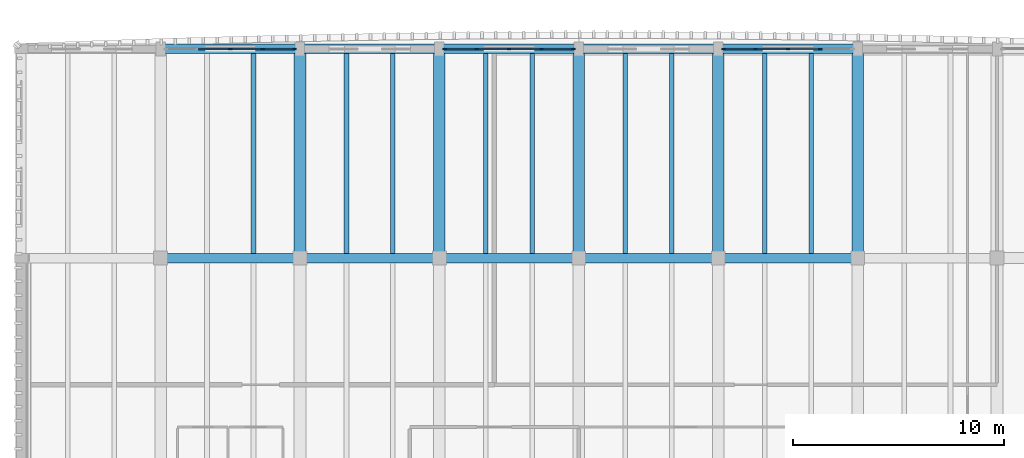
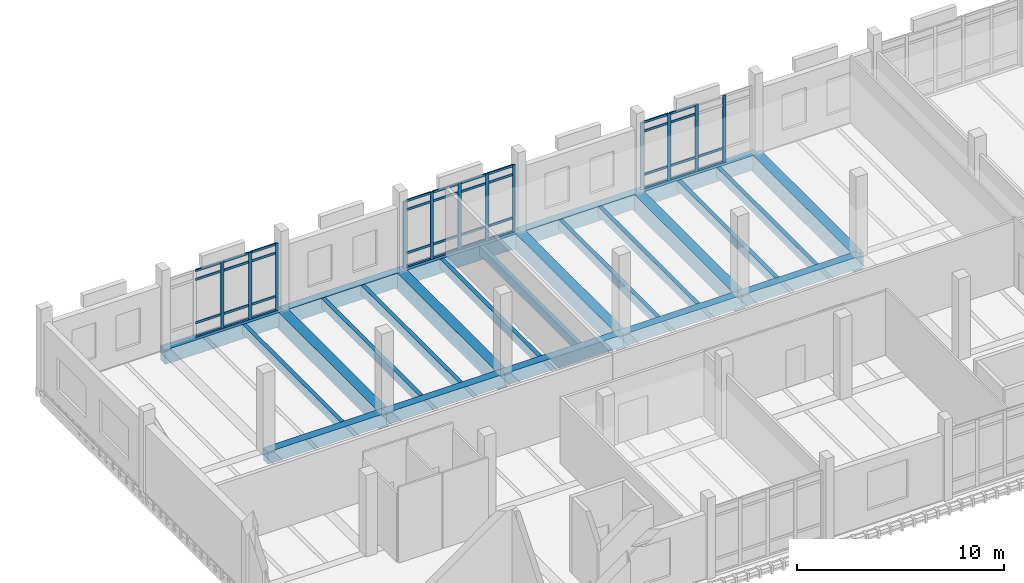
# One storey, part 11 of 37: 50 members, 24 beams, 3 elements without a shape of their own.
"""IFC4 building model written with IfcOpenShell, lengths in metres."""

import ifcopenshell
import ifcopenshell.guid

model = None  # the IFC model being written
_history = None  # IfcOwnerHistory: only IFC2X3 demands one
_inside = {}  # id of a spatial element -> (the spatial element, [elements in it])
_under = {}  # id of a project, library or spatial element -> (it, [spatial elements below it])
_declared = {}  # id of a project -> (the project, [libraries it declares])
_typed = {}  # id of a type object -> (the type object, [elements of that type])
_made_of = {}  # id of a material, layer set ... -> (it, [elements and type objects made of it])


def new_model(schema):
    """Start an empty IFC model of exactly this schema.

    Asked for "IFC4X3", IfcOpenShell would pick the latest addendum, in which some entities
    have other attributes; the version numbers below select the first issue.
    IFC2X3 requires an IfcOwnerHistory on every rooted entity: one is made here for all.
    """
    global model, _history
    if schema == "IFC4X3":
        model = ifcopenshell.file(schema_version=(4, 3, 0, 0))
    else:
        model = ifcopenshell.file(schema=schema)
    _inside.clear()
    _under.clear()
    _declared.clear()
    _typed.clear()
    _made_of.clear()
    _history = None
    if model.schema == "IFC2X3":
        org = make("IfcOrganization", Name="unknown")
        user = make(
            "IfcPersonAndOrganization",
            ThePerson=make("IfcPerson", FamilyName="unknown"),
            TheOrganization=org,
        )
        app = make(
            "IfcApplication",
            ApplicationDeveloper=org,
            Version="unknown",
            ApplicationFullName="unknown",
            ApplicationIdentifier="unknown",
        )
        _history = make(
            "IfcOwnerHistory",
            OwningUser=user,
            OwningApplication=app,
            ChangeAction="ADDED",
            CreationDate=0,
        )
    return model


def make(cls, **values):
    """One entity of the class cls with the attributes given. An attribute that is None is left unset."""
    return model.create_entity(
        cls, **{name: value for name, value in values.items() if value is not None}
    )


def rooted(cls, **values):
    """An entity with a GlobalId (a new one), such as an element, a storey or a relation."""
    return make(cls, GlobalId=ifcopenshell.guid.new(), OwnerHistory=_history, **values)


def si_unit(unit_type, name, prefix=None):
    """IfcSIUnit, for example si_unit("LENGTHUNIT", "METRE", prefix="MILLI")."""
    return make("IfcSIUnit", UnitType=unit_type, Prefix=prefix, Name=name)


def assignment(units):
    """IfcUnitAssignment: the units of a project."""
    return None if units is None else make("IfcUnitAssignment", Units=units)


def point(xyz):
    """IfcCartesianPoint."""
    return None if xyz is None else make("IfcCartesianPoint", Coordinates=xyz)


def direction(xyz):
    """IfcDirection."""
    return None if xyz is None else make("IfcDirection", DirectionRatios=xyz)


def frame(location, z_axis=None, x_axis=None):
    """IfcAxis2Placement3D, a coordinate frame: its origin and axes. An axis left out is left unset."""
    return make(
        "IfcAxis2Placement3D",
        Location=point(location),
        Axis=direction(z_axis),
        RefDirection=direction(x_axis),
    )


def frame_2d(location, x_axis=None):
    """IfcAxis2Placement2D, a coordinate frame in the plane: its origin and x axis."""
    return make(
        "IfcAxis2Placement2D", Location=point(location), RefDirection=direction(x_axis)
    )


def origin():
    """The frame at (0, 0, 0) with its axes left unset."""
    return frame((0.0, 0.0, 0.0))


def origin_2d():
    """The frame at (0, 0) in the plane with its x axis left unset."""
    return frame_2d((0.0, 0.0))


def place(relative_to, where):
    """IfcLocalPlacement: puts the frame where relative to a parent placement (None: the world)."""
    return make(
        "IfcLocalPlacement", PlacementRelTo=relative_to, RelativePlacement=where
    )


def context(
    kind, dimensions, precision=None, world=None, true_north=None, identifier=None
):
    """IfcGeometricRepresentationContext, for example the 3D "Model" context."""
    return make(
        "IfcGeometricRepresentationContext",
        ContextIdentifier=identifier,
        ContextType=kind,
        CoordinateSpaceDimension=dimensions,
        Precision=precision,
        WorldCoordinateSystem=world,
        TrueNorth=true_north,
    )


def subcontext(parent, identifier, kind, view, scale=None):
    """IfcGeometricRepresentationSubContext, for example "Body" below "Model"."""
    return make(
        "IfcGeometricRepresentationSubContext",
        ContextIdentifier=identifier,
        ContextType=kind,
        ParentContext=parent,
        TargetScale=scale,
        TargetView=view,
    )


def project(units=None, contexts=None):
    """IfcProject with its units and contexts."""
    return rooted(
        "IfcProject",
        Name="project",
        RepresentationContexts=contexts,
        UnitsInContext=assignment(units),
    )


def spatial(cls, under=None, at=None, **own):
    """A site, building, storey or space (cls), placed at a placement, below another one or the project."""
    s = rooted(cls, ObjectPlacement=at, **own)
    if under is not None:
        _under.setdefault(under.id(), (under, []))[1].append(s)
    return s


def profile(cls, at=None, kind="AREA", **sizes):
    """A parametric profile (cls). Its sizes go by their IFC names, for example OverallWidth=200.0."""
    return make(cls, ProfileType=kind, Position=at, **sizes)


def rectangle(**sizes):
    """IfcRectangleProfileDef."""
    return profile("IfcRectangleProfileDef", **sizes)


def extrude(swept, where, along, depth):
    """IfcExtrudedAreaSolid: the profile swept, set in the frame where, extruded along a direction by depth."""
    return make(
        "IfcExtrudedAreaSolid",
        SweptArea=swept,
        Position=where,
        ExtrudedDirection=direction(along),
        Depth=depth,
    )


def shape(context_of_items, identifier, shape_type, items):
    """IfcShapeRepresentation: the items that make up one representation, for example the "Body"."""
    return make(
        "IfcShapeRepresentation",
        ContextOfItems=context_of_items,
        RepresentationIdentifier=identifier,
        RepresentationType=shape_type,
        Items=items,
    )


def material(Name=None, Category=None):
    """IfcMaterial."""
    return make("IfcMaterial", Name=Name, Category=Category)


def material_profile(
    of_material, cross_section, Name=None, Category=None, Priority=None
):
    """IfcMaterialProfile: a cross section and its material."""
    return make(
        "IfcMaterialProfile",
        Name=Name,
        Material=of_material,
        Profile=cross_section,
        Priority=Priority,
        Category=Category,
    )


def profile_set(profiles, Name=None, composite=None):
    """IfcMaterialProfileSet."""
    return make(
        "IfcMaterialProfileSet",
        Name=Name,
        MaterialProfiles=profiles,
        CompositeProfile=composite,
    )


def made_of(thing, what):
    """Note that an element or type object is made of a material, layer set ...; save() writes the relation."""
    if what is not None:
        _made_of.setdefault(what.id(), (what, []))[1].append(thing)
    return thing


def type_object(cls, material=None, **own):
    """A type object (cls), such as IfcWallType, which elements share."""
    return made_of(rooted(cls, **own), material)


def element(
    cls,
    number,
    at=None,
    inside=None,
    cuts=None,
    type_object=None,
    material=None,
    context=None,
    identifier="Body",
    shape_type=None,
    held_by="IfcProductDefinitionShape",
    body=None,
    shapes=None,
    **own,
):
    """One element of the class cls, such as IfcWall. Its Tag is "e" and its number.

    at: its placement. inside: the storey or other place that contains it. cuts: it is an
    opening in that element (IfcRelVoidsElement). A single representation is given by context,
    identifier, shape_type and body (its items); several are given by shapes. held_by: the class
    of the entity that holds the representations. save() writes the other relations.
    """
    e = rooted(cls, Tag="e%d" % number, ObjectPlacement=at, **own)
    if body is not None:
        shapes = [shape(context, identifier, shape_type, body)]
    if shapes is not None:
        e.Representation = make(held_by, Representations=shapes)
    if inside is not None:
        _inside.setdefault(inside.id(), (inside, []))[1].append(e)
    if cuts is not None:
        rooted(
            "IfcRelVoidsElement", RelatingBuildingElement=cuts, RelatedOpeningElement=e
        )
    if type_object is not None:
        _typed.setdefault(type_object.id(), (type_object, []))[1].append(e)
    return made_of(e, material)


def aggregate(whole, parts):
    """IfcRelAggregates: a whole, such as a stair, and the parts it consists of."""
    return rooted("IfcRelAggregates", RelatingObject=whole, RelatedObjects=parts)


def save(model, path):
    """Write the relations noted so far, then the file.

    IfcRelAggregates (storeys below a building ...), IfcRelContainedInSpatialStructure (elements
    in a storey), IfcRelDefinesByType, IfcRelAssociatesMaterial and IfcRelDeclares: one each for
    every whole, place, type object, material and project.
    """
    for whole, parts in _under.values():
        aggregate(whole, parts)
    for where, things in _inside.values():
        rooted(
            "IfcRelContainedInSpatialStructure",
            RelatedElements=things,
            RelatingStructure=where,
        )
    for kind, things in _typed.values():
        rooted("IfcRelDefinesByType", RelatedObjects=things, RelatingType=kind)
    for what, things in _made_of.values():
        rooted("IfcRelAssociatesMaterial", RelatedObjects=things, RelatingMaterial=what)
    for by, libraries in _declared.values():
        rooted("IfcRelDeclares", RelatingContext=by, RelatedDefinitions=libraries)
    model.write(path)


model = new_model("IFC4")

# Units and contexts
model_context = context("Model", 3, precision=1e-05, world=origin(), true_north=direction((0.0, 1.0)))
body_context = subcontext(model_context, "Body", "Model", "MODEL_VIEW")
ifc_project = project(units=[si_unit("LENGTHUNIT", "METRE"), si_unit("AREAUNIT", "SQUARE_METRE"), si_unit("VOLUMEUNIT", "CUBIC_METRE"), si_unit("PLANEANGLEUNIT", "RADIAN"), si_unit("MASSUNIT", "GRAM", prefix="KILO")], contexts=[model_context])

# Site, building, storey
site_placement = place(None, origin())
site = spatial("IfcSite", under=ifc_project, at=site_placement, CompositionType="ELEMENT")
building_placement = place(site_placement, origin())
building = spatial("IfcBuilding", under=site, at=building_placement, Name="Dornvale Research Institute", CompositionType="ELEMENT")
storey_placement = place(building_placement, frame((0.0, 0.0, 29.39990234375)))
storey = spatial("IfcBuildingStorey", under=building, at=storey_placement, Name="L06", CompositionType="ELEMENT", Elevation=29.39990234375)

# Beams
ifc_material_1 = material(Name="Concrete f'c 45 MPa (C35/45)", Category="concrete")
ifc_material_profile_1 = material_profile(ifc_material_1, rectangle(XDim=0.449951171875, YDim=0.715087890625, at=origin_2d()), Name="RC 450x715")
ifc_profile_set_1 = profile_set([ifc_material_profile_1], Name="Concrete f'c 45 MPa (C35/45)")
beam_type_1 = type_object("IfcBeamType", Name="Beam_RC450x715_Lab", PredefinedType="BEAM", material=ifc_profile_set_1)
for number, where, z_axis, x_axis, name in (
    (1, (125.39990234375, 112.199951171875, -0.357421875), (1.0, 0.0, 0.0), (0.0, 1.0, 0.0), "L06 primary girder #1515"),
    (2, (132.0, 112.199951171875, -0.357421875), (1.0, 0.0, 0.0), (0.0, 1.0, 0.0), "L06 primary girder #1516"),
):
    element("IfcBeam", number, at=place(storey_placement, frame(where, z_axis=z_axis, x_axis=x_axis)), inside=storey, type_object=beam_type_1, Name=name, PredefinedType="BEAM", context=body_context, shape_type="SweptSolid", body=[
        extrude(rectangle(XDim=0.449951171875, YDim=0.715087890625, at=origin_2d()), origin(), (0.0, 0.0, 1.0), 6.60009765625),
    ])
beam_1_placement = place(storey_placement, frame((138.60009765625, 112.199951171875, -0.357421875), z_axis=(1.0, 0.0, 0.0), x_axis=(0.0, 1.0, 0.0)))
element("IfcBeam", 3, at=beam_1_placement, inside=storey, type_object=beam_type_1, Name="L06 primary girder #1517", PredefinedType="BEAM", context=body_context, shape_type="SweptSolid", body=[
    extrude(rectangle(XDim=0.449951171875, YDim=0.715087890625, at=origin_2d()), origin(), (0.0, 0.0, 1.0), 6.599853515625),
])
beam_2_placement = place(storey_placement, frame((145.199951171875, 112.199951171875, -0.357421875), z_axis=(1.0, 0.0, 0.0), x_axis=(0.0, 1.0, 0.0)))
element("IfcBeam", 4, at=beam_2_placement, inside=storey, type_object=beam_type_1, Name="L06 primary girder #1518", PredefinedType="BEAM", context=body_context, shape_type="SweptSolid", body=[
    extrude(rectangle(XDim=0.449951171875, YDim=0.715087890625, at=origin_2d()), origin(), (0.0, 0.0, 1.0), 6.60009765625),
])
beam_3_placement = place(storey_placement, frame((151.800048828125, 112.199951171875, -0.357421875), z_axis=(1.0, 0.0, 0.0), x_axis=(0.0, 1.0, 0.0)))
element("IfcBeam", 5, at=beam_3_placement, inside=storey, type_object=beam_type_1, Name="L06 primary girder #1519", PredefinedType="BEAM", context=body_context, shape_type="SweptSolid", body=[
    extrude(rectangle(XDim=0.449951171875, YDim=0.715087890625, at=origin_2d()), origin(), (0.0, 0.0, 1.0), 6.599853515625),
])
ifc_material_2 = material(Name="Concrete f'c 45 MPa (C35/45)", Category="concrete")
ifc_material_profile_2 = material_profile(ifc_material_2, rectangle(XDim=0.550048828125, YDim=1.0, at=origin_2d()), Name="RC 550x1000")
ifc_profile_set_2 = profile_set([ifc_material_profile_2], Name="Concrete f'c 45 MPa (C35/45)")
beam_type_2 = type_object("IfcBeamType", Name="Beam_RC550x1000_Girder", PredefinedType="BEAM", material=ifc_profile_set_2)
for number, where, z_axis, x_axis, name in (
    (6, (132.0, 112.199951171875, -0.5), (0.0, 1.0, 0.0), (-1.0, 0.0, 0.0), "L06 transverse girder #1537"),
    (7, (138.60009765625, 112.199951171875, -0.5), (0.0, 1.0, 0.0), (-1.0, 0.0, 0.0), "L06 transverse girder #1540"),
    (8, (145.199951171875, 112.199951171875, -0.5), (0.0, 1.0, 0.0), (-1.0, 0.0, 0.0), "L06 transverse girder #1543"),
    (9, (151.800048828125, 112.199951171875, -0.5), (0.0, 1.0, 0.0), (-1.0, 0.0, 0.0), "L06 transverse girder #1546"),
    (10, (158.39990234375, 112.199951171875, -0.5), (0.0, 1.0, 0.0), (-1.0, 0.0, 0.0), "L06 transverse girder #1548"),
):
    element("IfcBeam", number, at=place(storey_placement, frame(where, z_axis=z_axis, x_axis=x_axis)), inside=storey, type_object=beam_type_2, Name=name, PredefinedType="BEAM", context=body_context, shape_type="SweptSolid", body=[
        extrude(rectangle(XDim=0.550048828125, YDim=1.0, at=origin_2d()), origin(), (0.0, 0.0, 1.0), 9.900146484375),
    ])
ifc_material_3 = material(Name="Concrete f'c 45 MPa (C35/45)", Category="concrete")
ifc_material_profile_3 = material_profile(ifc_material_3, rectangle(XDim=0.219970703125, YDim=0.534912109375, at=origin_2d()), Name="RC 220x535")
ifc_profile_set_3 = profile_set([ifc_material_profile_3], Name="Concrete f'c 45 MPa (C35/45)")
beam_type_3 = type_object("IfcBeamType", Name="Joist_RC220x535_Waffle", PredefinedType="JOIST", material=ifc_profile_set_3)
for number, where, z_axis, x_axis, name in (
    (11, (129.800048828125, 112.425048828125, -0.267333984375), (0.0, 1.0, 0.0), (-1.0, 0.0, 0.0), "L06 laboratory waffle joist #734"),
    (12, (134.199951171875, 112.425048828125, -0.267333984375), (0.0, 1.0, 0.0), (-1.0, 0.0, 0.0), "L06 laboratory waffle joist #737"),
    (13, (136.39990234375, 112.425048828125, -0.267333984375), (0.0, 1.0, 0.0), (-1.0, 0.0, 0.0), "L06 laboratory waffle joist #738"),
    (14, (140.800048828125, 112.425048828125, -0.267333984375), (0.0, 1.0, 0.0), (-1.0, 0.0, 0.0), "L06 laboratory waffle joist #743"),
    (15, (143.0, 112.425048828125, -0.267333984375), (0.0, 1.0, 0.0), (-1.0, 0.0, 0.0), "L06 laboratory waffle joist #744"),
    (16, (147.39990234375, 112.425048828125, -0.267333984375), (0.0, 1.0, 0.0), (-1.0, 0.0, 0.0), "L06 laboratory waffle joist #749"),
    (17, (149.60009765625, 112.425048828125, -0.267333984375), (0.0, 1.0, 0.0), (-1.0, 0.0, 0.0), "L06 laboratory waffle joist #750"),
    (18, (154.0, 112.425048828125, -0.267333984375), (0.0, 1.0, 0.0), (-1.0, 0.0, 0.0), "L06 laboratory waffle joist #753"),
    (19, (156.199951171875, 112.425048828125, -0.267333984375), (0.0, 1.0, 0.0), (-1.0, 0.0, 0.0), "L06 laboratory waffle joist #754"),
):
    element("IfcBeam", number, at=place(storey_placement, frame(where, z_axis=z_axis, x_axis=x_axis)), inside=storey, type_object=beam_type_3, Name=name, PredefinedType="JOIST", context=body_context, shape_type="SweptSolid", body=[
        extrude(rectangle(XDim=0.219970703125, YDim=0.534912109375, at=origin_2d()), origin(), (0.0, 0.0, 1.0), 9.449951171875),
    ])

# Curtain wall, members
ifc_material_4 = material(Name="Low-E Argon Double Insulating Glazing Unit", Category="glass")
curtain_wall_type = type_object("IfcCurtainWallType", Name="UnitisedCurtainWall_V4_6150x3950", PredefinedType="USERDEFINED", material=ifc_material_4)
curtain_wall_1_placement = place(storey_placement, origin())
curtain_wall_1 = element("IfcCurtainWall", 20, at=curtain_wall_1_placement, inside=storey, type_object=curtain_wall_type, Name="L06 V4 unitised curtain wall CW-15 #117", ObjectType="UNITISED CURTAIN WALL", PredefinedType="USERDEFINED")
ifc_material_5 = material(Name="Anodized Aluminum AA 6063-T6 Thermally Broken Frame", Category="aluminium")
ifc_material_profile_4 = material_profile(ifc_material_5, rectangle(XDim=0.06494140625, YDim=0.179931640625, at=origin_2d()), Name="ALU MULLION 65x180")
ifc_profile_set_4 = profile_set([ifc_material_profile_4], Name="Anodized Aluminum AA 6063-T6 Thermally Broken Frame")
member_type_1 = type_object("IfcMemberType", Name="Mullion_CW_65x180", PredefinedType="MULLION", material=ifc_profile_set_4)
member_1_placement = place(storey_placement, frame((128.699951171875, 122.10009765625, 0.0), z_axis=(0.0, 0.0, 1.0), x_axis=(0.0, 1.0, 0.0)))
member_1 = element("IfcMember", 21, at=member_1_placement, type_object=member_type_1, Name="CW-15 mullion 3", PredefinedType="MULLION", context=body_context, shape_type="SweptSolid", body=[
    extrude(rectangle(XDim=0.06494140625, YDim=0.179931640625, at=origin_2d()), origin(), (0.0, 0.0, 1.0), 3.9501953125),
])
member_2_placement = place(storey_placement, frame((130.237548828125, 122.10009765625, 0.0), z_axis=(0.0, 0.0, 1.0), x_axis=(0.0, 1.0, 0.0)))
member_2 = element("IfcMember", 22, at=member_2_placement, type_object=member_type_1, Name="CW-15 mullion 4", PredefinedType="MULLION", context=body_context, shape_type="SweptSolid", body=[
    extrude(rectangle(XDim=0.06494140625, YDim=0.179931640625, at=origin_2d()), origin(), (0.0, 0.0, 1.0), 3.9501953125),
])
member_3_placement = place(storey_placement, frame((131.742431640625, 122.10009765625, 0.0), z_axis=(0.0, 0.0, 1.0), x_axis=(0.0, 1.0, 0.0)))
member_3 = element("IfcMember", 23, at=member_3_placement, type_object=member_type_1, Name="CW-15 mullion 5", PredefinedType="MULLION", context=body_context, shape_type="SweptSolid", body=[
    extrude(rectangle(XDim=0.06494140625, YDim=0.179931640625, at=origin_2d()), origin(), (0.0, 0.0, 1.0), 3.9501953125),
])

curtain_wall_2_placement = place(storey_placement, origin())
curtain_wall_2 = element("IfcCurtainWall", 24, at=curtain_wall_2_placement, inside=storey, type_object=curtain_wall_type, Name="L06 V4 unitised curtain wall CW-15 #118", ObjectType="UNITISED CURTAIN WALL", PredefinedType="USERDEFINED")
member_4_placement = place(storey_placement, frame((138.857421875, 122.10009765625, 0.0), z_axis=(0.0, 0.0, 1.0), x_axis=(0.0, 1.0, 0.0)))
member_4 = element("IfcMember", 25, at=member_4_placement, type_object=member_type_1, Name="CW-15 mullion 1", PredefinedType="MULLION", context=body_context, shape_type="SweptSolid", body=[
    extrude(rectangle(XDim=0.06494140625, YDim=0.179931640625, at=origin_2d()), origin(), (0.0, 0.0, 1.0), 3.9501953125),
])
member_5_placement = place(storey_placement, frame((140.362548828125, 122.10009765625, 0.0), z_axis=(0.0, 0.0, 1.0), x_axis=(0.0, 1.0, 0.0)))
member_5 = element("IfcMember", 26, at=member_5_placement, type_object=member_type_1, Name="CW-15 mullion 2", PredefinedType="MULLION", context=body_context, shape_type="SweptSolid", body=[
    extrude(rectangle(XDim=0.06494140625, YDim=0.179931640625, at=origin_2d()), origin(), (0.0, 0.0, 1.0), 3.9501953125),
])
member_6_placement = place(storey_placement, frame((141.89990234375, 122.10009765625, 0.0), z_axis=(0.0, 0.0, 1.0), x_axis=(0.0, 1.0, 0.0)))
member_6 = element("IfcMember", 27, at=member_6_placement, type_object=member_type_1, Name="CW-15 mullion 3", PredefinedType="MULLION", context=body_context, shape_type="SweptSolid", body=[
    extrude(rectangle(XDim=0.06494140625, YDim=0.179931640625, at=origin_2d()), origin(), (0.0, 0.0, 1.0), 3.9501953125),
])
member_7_placement = place(storey_placement, frame((143.4375, 122.10009765625, 0.0), z_axis=(0.0, 0.0, 1.0), x_axis=(0.0, 1.0, 0.0)))
member_7 = element("IfcMember", 28, at=member_7_placement, type_object=member_type_1, Name="CW-15 mullion 4", PredefinedType="MULLION", context=body_context, shape_type="SweptSolid", body=[
    extrude(rectangle(XDim=0.06494140625, YDim=0.179931640625, at=origin_2d()), origin(), (0.0, 0.0, 1.0), 3.9501953125),
])
member_8_placement = place(storey_placement, frame((144.9423828125, 122.10009765625, 0.0), z_axis=(0.0, 0.0, 1.0), x_axis=(0.0, 1.0, 0.0)))
member_8 = element("IfcMember", 29, at=member_8_placement, type_object=member_type_1, Name="CW-15 mullion 5", PredefinedType="MULLION", context=body_context, shape_type="SweptSolid", body=[
    extrude(rectangle(XDim=0.06494140625, YDim=0.179931640625, at=origin_2d()), origin(), (0.0, 0.0, 1.0), 3.9501953125),
])

curtain_wall_3_placement = place(storey_placement, origin())
curtain_wall_3 = element("IfcCurtainWall", 30, at=curtain_wall_3_placement, inside=storey, type_object=curtain_wall_type, Name="L06 V4 unitised curtain wall CW-15 #119", ObjectType="UNITISED CURTAIN WALL", PredefinedType="USERDEFINED")
member_9_placement = place(storey_placement, frame((152.0576171875, 122.10009765625, 0.0), z_axis=(0.0, 0.0, 1.0), x_axis=(0.0, 1.0, 0.0)))
member_9 = element("IfcMember", 31, at=member_9_placement, type_object=member_type_1, Name="CW-15 mullion 1", PredefinedType="MULLION", context=body_context, shape_type="SweptSolid", body=[
    extrude(rectangle(XDim=0.06494140625, YDim=0.179931640625, at=origin_2d()), origin(), (0.0, 0.0, 1.0), 3.9501953125),
])
member_10_placement = place(storey_placement, frame((153.5625, 122.10009765625, 0.0), z_axis=(0.0, 0.0, 1.0), x_axis=(0.0, 1.0, 0.0)))
member_10 = element("IfcMember", 32, at=member_10_placement, type_object=member_type_1, Name="CW-15 mullion 2", PredefinedType="MULLION", context=body_context, shape_type="SweptSolid", body=[
    extrude(rectangle(XDim=0.06494140625, YDim=0.179931640625, at=origin_2d()), origin(), (0.0, 0.0, 1.0), 3.9501953125),
])
member_11_placement = place(storey_placement, frame((155.10009765625, 122.10009765625, 0.0), z_axis=(0.0, 0.0, 1.0), x_axis=(0.0, 1.0, 0.0)))
member_11 = element("IfcMember", 33, at=member_11_placement, type_object=member_type_1, Name="CW-15 mullion 3", PredefinedType="MULLION", context=body_context, shape_type="SweptSolid", body=[
    extrude(rectangle(XDim=0.06494140625, YDim=0.179931640625, at=origin_2d()), origin(), (0.0, 0.0, 1.0), 3.9501953125),
])
member_12_placement = place(storey_placement, frame((156.637451171875, 122.10009765625, 0.0), z_axis=(0.0, 0.0, 1.0), x_axis=(0.0, 1.0, 0.0)))
member_12 = element("IfcMember", 34, at=member_12_placement, type_object=member_type_1, Name="CW-15 mullion 4", PredefinedType="MULLION", context=body_context, shape_type="SweptSolid", body=[
    extrude(rectangle(XDim=0.06494140625, YDim=0.179931640625, at=origin_2d()), origin(), (0.0, 0.0, 1.0), 3.9501953125),
])

# Beams
ifc_material_6 = material(Name="Concrete f'c 45 MPa (C35/45)", Category="concrete")
ifc_material_profile_5 = material_profile(ifc_material_6, rectangle(XDim=0.449951171875, YDim=0.85009765625, at=origin_2d()), Name="RC 450x850")
ifc_profile_set_5 = profile_set([ifc_material_profile_5], Name="Concrete f'c 45 MPa (C35/45)")
beam_type_4 = type_object("IfcBeamType", Name="Spandrel_RC450x850_Ext", PredefinedType="SPANDREL", material=ifc_profile_set_5)
for number, where, z_axis, x_axis, name in (
    (35, (125.39990234375, 122.10009765625, -0.4248046875), (1.0, 0.0, 0.0), (0.0, 1.0, 0.0), "L06 perimeter spandrel #1523"),
    (36, (132.0, 122.10009765625, -0.4248046875), (1.0, 0.0, 0.0), (0.0, 1.0, 0.0), "L06 perimeter spandrel #1524"),
):
    element("IfcBeam", number, at=place(storey_placement, frame(where, z_axis=z_axis, x_axis=x_axis)), inside=storey, type_object=beam_type_4, Name=name, PredefinedType="SPANDREL", context=body_context, shape_type="SweptSolid", body=[
        extrude(rectangle(XDim=0.449951171875, YDim=0.85009765625, at=origin_2d()), origin(), (0.0, 0.0, 1.0), 6.60009765625),
    ])
beam_4_placement = place(storey_placement, frame((138.60009765625, 122.10009765625, -0.4248046875), z_axis=(1.0, 0.0, 0.0), x_axis=(0.0, 1.0, 0.0)))
element("IfcBeam", 37, at=beam_4_placement, inside=storey, type_object=beam_type_4, Name="L06 perimeter spandrel #1525", PredefinedType="SPANDREL", context=body_context, shape_type="SweptSolid", body=[
    extrude(rectangle(XDim=0.449951171875, YDim=0.85009765625, at=origin_2d()), origin(), (0.0, 0.0, 1.0), 6.599853515625),
])
beam_5_placement = place(storey_placement, frame((145.199951171875, 122.10009765625, -0.4248046875), z_axis=(1.0, 0.0, 0.0), x_axis=(0.0, 1.0, 0.0)))
element("IfcBeam", 38, at=beam_5_placement, inside=storey, type_object=beam_type_4, Name="L06 perimeter spandrel #1526", PredefinedType="SPANDREL", context=body_context, shape_type="SweptSolid", body=[
    extrude(rectangle(XDim=0.449951171875, YDim=0.85009765625, at=origin_2d()), origin(), (0.0, 0.0, 1.0), 6.60009765625),
])
beam_6_placement = place(storey_placement, frame((151.800048828125, 122.10009765625, -0.4248046875), z_axis=(1.0, 0.0, 0.0), x_axis=(0.0, 1.0, 0.0)))
element("IfcBeam", 39, at=beam_6_placement, inside=storey, type_object=beam_type_4, Name="L06 perimeter spandrel #1527", PredefinedType="SPANDREL", context=body_context, shape_type="SweptSolid", body=[
    extrude(rectangle(XDim=0.449951171875, YDim=0.85009765625, at=origin_2d()), origin(), (0.0, 0.0, 1.0), 6.599853515625),
])

# Member
ifc_material_7 = material(Name="Anodized Aluminum AA 6063-T6 Thermally Broken Frame", Category="aluminium")
ifc_material_profile_6 = material_profile(ifc_material_7, rectangle(XDim=0.06494140625, YDim=0.135009765625, at=origin_2d()), Name="ALU TRANSOM 65x135")
ifc_profile_set_6 = profile_set([ifc_material_profile_6], Name="Anodized Aluminum AA 6063-T6 Thermally Broken Frame")
member_type_2 = type_object("IfcMemberType", Name="Transom_CW_65x135", PredefinedType="USERDEFINED", material=ifc_profile_set_6)
member_13_placement = place(storey_placement, frame((127.195068359375, 122.10009765625, 0.03271484375), z_axis=(1.0, 0.0, 0.0), x_axis=(0.0, 1.0, 0.0)))
member_13 = element("IfcMember", 40, at=member_13_placement, type_object=member_type_2, Name="CW-15 transom 2.1", ObjectType="TRANSOM", PredefinedType="USERDEFINED", context=body_context, shape_type="SweptSolid", body=[
    extrude(rectangle(XDim=0.06494140625, YDim=0.135009765625, at=origin_2d()), origin(), (0.0, 0.0, 1.0), 1.472412109375),
])

member_14_placement = place(storey_placement, frame((127.195068359375, 122.10009765625, 0.85009765625), z_axis=(1.0, 0.0, 0.0), x_axis=(0.0, 1.0, 0.0)))
member_14 = element("IfcMember", 41, at=member_14_placement, type_object=member_type_2, Name="CW-15 transom 2.2", ObjectType="TRANSOM", PredefinedType="USERDEFINED", context=body_context, shape_type="SweptSolid", body=[
    extrude(rectangle(XDim=0.06494140625, YDim=0.135009765625, at=origin_2d()), origin(), (0.0, 0.0, 1.0), 1.472412109375),
])

member_15_placement = place(storey_placement, frame((127.195068359375, 122.10009765625, 3.400146484375), z_axis=(1.0, 0.0, 0.0), x_axis=(0.0, 1.0, 0.0)))
member_15 = element("IfcMember", 42, at=member_15_placement, type_object=member_type_2, Name="CW-15 transom 2.3", ObjectType="TRANSOM", PredefinedType="USERDEFINED", context=body_context, shape_type="SweptSolid", body=[
    extrude(rectangle(XDim=0.06494140625, YDim=0.135009765625, at=origin_2d()), origin(), (0.0, 0.0, 1.0), 1.472412109375),
])

member_16_placement = place(storey_placement, frame((127.195068359375, 122.10009765625, 3.91748046875), z_axis=(1.0, 0.0, 0.0), x_axis=(0.0, 1.0, 0.0)))
member_16 = element("IfcMember", 43, at=member_16_placement, type_object=member_type_2, Name="CW-15 transom 2.4", ObjectType="TRANSOM", PredefinedType="USERDEFINED", context=body_context, shape_type="SweptSolid", body=[
    extrude(rectangle(XDim=0.06494140625, YDim=0.135009765625, at=origin_2d()), origin(), (0.0, 0.0, 1.0), 1.472412109375),
])

member_17_placement = place(storey_placement, frame((128.732421875, 122.10009765625, 0.03271484375), z_axis=(1.0, 0.0, 0.0), x_axis=(0.0, 1.0, 0.0)))
member_17 = element("IfcMember", 44, at=member_17_placement, type_object=member_type_2, Name="CW-15 transom 3.1", ObjectType="TRANSOM", PredefinedType="USERDEFINED", context=body_context, shape_type="SweptSolid", body=[
    extrude(rectangle(XDim=0.06494140625, YDim=0.135009765625, at=origin_2d()), origin(), (0.0, 0.0, 1.0), 1.47265625),
])

member_18_placement = place(storey_placement, frame((128.732421875, 122.10009765625, 0.85009765625), z_axis=(1.0, 0.0, 0.0), x_axis=(0.0, 1.0, 0.0)))
member_18 = element("IfcMember", 45, at=member_18_placement, type_object=member_type_2, Name="CW-15 transom 3.2", ObjectType="TRANSOM", PredefinedType="USERDEFINED", context=body_context, shape_type="SweptSolid", body=[
    extrude(rectangle(XDim=0.06494140625, YDim=0.135009765625, at=origin_2d()), origin(), (0.0, 0.0, 1.0), 1.47265625),
])

member_19_placement = place(storey_placement, frame((128.732421875, 122.10009765625, 3.400146484375), z_axis=(1.0, 0.0, 0.0), x_axis=(0.0, 1.0, 0.0)))
member_19 = element("IfcMember", 46, at=member_19_placement, type_object=member_type_2, Name="CW-15 transom 3.3", ObjectType="TRANSOM", PredefinedType="USERDEFINED", context=body_context, shape_type="SweptSolid", body=[
    extrude(rectangle(XDim=0.06494140625, YDim=0.135009765625, at=origin_2d()), origin(), (0.0, 0.0, 1.0), 1.47265625),
])

member_20_placement = place(storey_placement, frame((128.732421875, 122.10009765625, 3.91748046875), z_axis=(1.0, 0.0, 0.0), x_axis=(0.0, 1.0, 0.0)))
member_20 = element("IfcMember", 47, at=member_20_placement, type_object=member_type_2, Name="CW-15 transom 3.4", ObjectType="TRANSOM", PredefinedType="USERDEFINED", context=body_context, shape_type="SweptSolid", body=[
    extrude(rectangle(XDim=0.06494140625, YDim=0.135009765625, at=origin_2d()), origin(), (0.0, 0.0, 1.0), 1.47265625),
])

member_21_placement = place(storey_placement, frame((130.27001953125, 122.10009765625, 0.03271484375), z_axis=(1.0, 0.0, 0.0), x_axis=(0.0, 1.0, 0.0)))
member_21 = element("IfcMember", 48, at=member_21_placement, type_object=member_type_2, Name="CW-15 transom 4.1", ObjectType="TRANSOM", PredefinedType="USERDEFINED", context=body_context, shape_type="SweptSolid", body=[
    extrude(rectangle(XDim=0.06494140625, YDim=0.135009765625, at=origin_2d()), origin(), (0.0, 0.0, 1.0), 1.43994140625),
])

member_22_placement = place(storey_placement, frame((130.27001953125, 122.10009765625, 0.85009765625), z_axis=(1.0, 0.0, 0.0), x_axis=(0.0, 1.0, 0.0)))
member_22 = element("IfcMember", 49, at=member_22_placement, type_object=member_type_2, Name="CW-15 transom 4.2", ObjectType="TRANSOM", PredefinedType="USERDEFINED", context=body_context, shape_type="SweptSolid", body=[
    extrude(rectangle(XDim=0.06494140625, YDim=0.135009765625, at=origin_2d()), origin(), (0.0, 0.0, 1.0), 1.43994140625),
])

member_23_placement = place(storey_placement, frame((130.27001953125, 122.10009765625, 3.400146484375), z_axis=(1.0, 0.0, 0.0), x_axis=(0.0, 1.0, 0.0)))
member_23 = element("IfcMember", 50, at=member_23_placement, type_object=member_type_2, Name="CW-15 transom 4.3", ObjectType="TRANSOM", PredefinedType="USERDEFINED", context=body_context, shape_type="SweptSolid", body=[
    extrude(rectangle(XDim=0.06494140625, YDim=0.135009765625, at=origin_2d()), origin(), (0.0, 0.0, 1.0), 1.43994140625),
])

member_24_placement = place(storey_placement, frame((130.27001953125, 122.10009765625, 3.91748046875), z_axis=(1.0, 0.0, 0.0), x_axis=(0.0, 1.0, 0.0)))
member_24 = element("IfcMember", 51, at=member_24_placement, type_object=member_type_2, Name="CW-15 transom 4.4", ObjectType="TRANSOM", PredefinedType="USERDEFINED", context=body_context, shape_type="SweptSolid", body=[
    extrude(rectangle(XDim=0.06494140625, YDim=0.135009765625, at=origin_2d()), origin(), (0.0, 0.0, 1.0), 1.43994140625),
])

aggregate(curtain_wall_1, [member_1, member_2, member_3, member_13, member_14, member_15, member_16, member_17, member_18, member_19, member_20, member_21, member_22, member_23, member_24])

member_25_placement = place(storey_placement, frame((138.889892578125, 122.10009765625, 0.03271484375), z_axis=(1.0, 0.0, 0.0), x_axis=(0.0, 1.0, 0.0)))
member_25 = element("IfcMember", 52, at=member_25_placement, type_object=member_type_2, Name="CW-15 transom 1.1", ObjectType="TRANSOM", PredefinedType="USERDEFINED", context=body_context, shape_type="SweptSolid", body=[
    extrude(rectangle(XDim=0.06494140625, YDim=0.135009765625, at=origin_2d()), origin(), (0.0, 0.0, 1.0), 1.440185546875),
])

member_26_placement = place(storey_placement, frame((138.889892578125, 122.10009765625, 0.85009765625), z_axis=(1.0, 0.0, 0.0), x_axis=(0.0, 1.0, 0.0)))
member_26 = element("IfcMember", 53, at=member_26_placement, type_object=member_type_2, Name="CW-15 transom 1.2", ObjectType="TRANSOM", PredefinedType="USERDEFINED", context=body_context, shape_type="SweptSolid", body=[
    extrude(rectangle(XDim=0.06494140625, YDim=0.135009765625, at=origin_2d()), origin(), (0.0, 0.0, 1.0), 1.440185546875),
])

member_27_placement = place(storey_placement, frame((138.889892578125, 122.10009765625, 3.400146484375), z_axis=(1.0, 0.0, 0.0), x_axis=(0.0, 1.0, 0.0)))
member_27 = element("IfcMember", 54, at=member_27_placement, type_object=member_type_2, Name="CW-15 transom 1.3", ObjectType="TRANSOM", PredefinedType="USERDEFINED", context=body_context, shape_type="SweptSolid", body=[
    extrude(rectangle(XDim=0.06494140625, YDim=0.135009765625, at=origin_2d()), origin(), (0.0, 0.0, 1.0), 1.440185546875),
])

member_28_placement = place(storey_placement, frame((138.889892578125, 122.10009765625, 3.91748046875), z_axis=(1.0, 0.0, 0.0), x_axis=(0.0, 1.0, 0.0)))
member_28 = element("IfcMember", 55, at=member_28_placement, type_object=member_type_2, Name="CW-15 transom 1.4", ObjectType="TRANSOM", PredefinedType="USERDEFINED", context=body_context, shape_type="SweptSolid", body=[
    extrude(rectangle(XDim=0.06494140625, YDim=0.135009765625, at=origin_2d()), origin(), (0.0, 0.0, 1.0), 1.440185546875),
])

member_29_placement = place(storey_placement, frame((140.39501953125, 122.10009765625, 0.03271484375), z_axis=(1.0, 0.0, 0.0), x_axis=(0.0, 1.0, 0.0)))
member_29 = element("IfcMember", 56, at=member_29_placement, type_object=member_type_2, Name="CW-15 transom 2.1", ObjectType="TRANSOM", PredefinedType="USERDEFINED", context=body_context, shape_type="SweptSolid", body=[
    extrude(rectangle(XDim=0.06494140625, YDim=0.135009765625, at=origin_2d()), origin(), (0.0, 0.0, 1.0), 1.472412109375),
])

member_30_placement = place(storey_placement, frame((140.39501953125, 122.10009765625, 0.85009765625), z_axis=(1.0, 0.0, 0.0), x_axis=(0.0, 1.0, 0.0)))
member_30 = element("IfcMember", 57, at=member_30_placement, type_object=member_type_2, Name="CW-15 transom 2.2", ObjectType="TRANSOM", PredefinedType="USERDEFINED", context=body_context, shape_type="SweptSolid", body=[
    extrude(rectangle(XDim=0.06494140625, YDim=0.135009765625, at=origin_2d()), origin(), (0.0, 0.0, 1.0), 1.472412109375),
])

member_31_placement = place(storey_placement, frame((140.39501953125, 122.10009765625, 3.400146484375), z_axis=(1.0, 0.0, 0.0), x_axis=(0.0, 1.0, 0.0)))
member_31 = element("IfcMember", 58, at=member_31_placement, type_object=member_type_2, Name="CW-15 transom 2.3", ObjectType="TRANSOM", PredefinedType="USERDEFINED", context=body_context, shape_type="SweptSolid", body=[
    extrude(rectangle(XDim=0.06494140625, YDim=0.135009765625, at=origin_2d()), origin(), (0.0, 0.0, 1.0), 1.472412109375),
])

member_32_placement = place(storey_placement, frame((140.39501953125, 122.10009765625, 3.91748046875), z_axis=(1.0, 0.0, 0.0), x_axis=(0.0, 1.0, 0.0)))
member_32 = element("IfcMember", 59, at=member_32_placement, type_object=member_type_2, Name="CW-15 transom 2.4", ObjectType="TRANSOM", PredefinedType="USERDEFINED", context=body_context, shape_type="SweptSolid", body=[
    extrude(rectangle(XDim=0.06494140625, YDim=0.135009765625, at=origin_2d()), origin(), (0.0, 0.0, 1.0), 1.472412109375),
])

member_33_placement = place(storey_placement, frame((141.9326171875, 122.10009765625, 0.03271484375), z_axis=(1.0, 0.0, 0.0), x_axis=(0.0, 1.0, 0.0)))
member_33 = element("IfcMember", 60, at=member_33_placement, type_object=member_type_2, Name="CW-15 transom 3.1", ObjectType="TRANSOM", PredefinedType="USERDEFINED", context=body_context, shape_type="SweptSolid", body=[
    extrude(rectangle(XDim=0.06494140625, YDim=0.135009765625, at=origin_2d()), origin(), (0.0, 0.0, 1.0), 1.472412109375),
])

member_34_placement = place(storey_placement, frame((141.9326171875, 122.10009765625, 0.85009765625), z_axis=(1.0, 0.0, 0.0), x_axis=(0.0, 1.0, 0.0)))
member_34 = element("IfcMember", 61, at=member_34_placement, type_object=member_type_2, Name="CW-15 transom 3.2", ObjectType="TRANSOM", PredefinedType="USERDEFINED", context=body_context, shape_type="SweptSolid", body=[
    extrude(rectangle(XDim=0.06494140625, YDim=0.135009765625, at=origin_2d()), origin(), (0.0, 0.0, 1.0), 1.472412109375),
])

member_35_placement = place(storey_placement, frame((141.9326171875, 122.10009765625, 3.400146484375), z_axis=(1.0, 0.0, 0.0), x_axis=(0.0, 1.0, 0.0)))
member_35 = element("IfcMember", 62, at=member_35_placement, type_object=member_type_2, Name="CW-15 transom 3.3", ObjectType="TRANSOM", PredefinedType="USERDEFINED", context=body_context, shape_type="SweptSolid", body=[
    extrude(rectangle(XDim=0.06494140625, YDim=0.135009765625, at=origin_2d()), origin(), (0.0, 0.0, 1.0), 1.472412109375),
])

member_36_placement = place(storey_placement, frame((141.9326171875, 122.10009765625, 3.91748046875), z_axis=(1.0, 0.0, 0.0), x_axis=(0.0, 1.0, 0.0)))
member_36 = element("IfcMember", 63, at=member_36_placement, type_object=member_type_2, Name="CW-15 transom 3.4", ObjectType="TRANSOM", PredefinedType="USERDEFINED", context=body_context, shape_type="SweptSolid", body=[
    extrude(rectangle(XDim=0.06494140625, YDim=0.135009765625, at=origin_2d()), origin(), (0.0, 0.0, 1.0), 1.472412109375),
])

member_37_placement = place(storey_placement, frame((143.469970703125, 122.10009765625, 0.03271484375), z_axis=(1.0, 0.0, 0.0), x_axis=(0.0, 1.0, 0.0)))
member_37 = element("IfcMember", 64, at=member_37_placement, type_object=member_type_2, Name="CW-15 transom 4.1", ObjectType="TRANSOM", PredefinedType="USERDEFINED", context=body_context, shape_type="SweptSolid", body=[
    extrude(rectangle(XDim=0.06494140625, YDim=0.135009765625, at=origin_2d()), origin(), (0.0, 0.0, 1.0), 1.43994140625),
])

member_38_placement = place(storey_placement, frame((143.469970703125, 122.10009765625, 0.85009765625), z_axis=(1.0, 0.0, 0.0), x_axis=(0.0, 1.0, 0.0)))
member_38 = element("IfcMember", 65, at=member_38_placement, type_object=member_type_2, Name="CW-15 transom 4.2", ObjectType="TRANSOM", PredefinedType="USERDEFINED", context=body_context, shape_type="SweptSolid", body=[
    extrude(rectangle(XDim=0.06494140625, YDim=0.135009765625, at=origin_2d()), origin(), (0.0, 0.0, 1.0), 1.43994140625),
])

member_39_placement = place(storey_placement, frame((143.469970703125, 122.10009765625, 3.400146484375), z_axis=(1.0, 0.0, 0.0), x_axis=(0.0, 1.0, 0.0)))
member_39 = element("IfcMember", 66, at=member_39_placement, type_object=member_type_2, Name="CW-15 transom 4.3", ObjectType="TRANSOM", PredefinedType="USERDEFINED", context=body_context, shape_type="SweptSolid", body=[
    extrude(rectangle(XDim=0.06494140625, YDim=0.135009765625, at=origin_2d()), origin(), (0.0, 0.0, 1.0), 1.43994140625),
])

member_40_placement = place(storey_placement, frame((143.469970703125, 122.10009765625, 3.91748046875), z_axis=(1.0, 0.0, 0.0), x_axis=(0.0, 1.0, 0.0)))
member_40 = element("IfcMember", 67, at=member_40_placement, type_object=member_type_2, Name="CW-15 transom 4.4", ObjectType="TRANSOM", PredefinedType="USERDEFINED", context=body_context, shape_type="SweptSolid", body=[
    extrude(rectangle(XDim=0.06494140625, YDim=0.135009765625, at=origin_2d()), origin(), (0.0, 0.0, 1.0), 1.43994140625),
])

aggregate(curtain_wall_2, [member_4, member_5, member_6, member_7, member_8, member_25, member_26, member_27, member_28, member_29, member_30, member_31, member_32, member_33, member_34, member_35, member_36, member_37, member_38, member_39, member_40])

member_41_placement = place(storey_placement, frame((152.090087890625, 122.10009765625, 0.03271484375), z_axis=(1.0, 0.0, 0.0), x_axis=(0.0, 1.0, 0.0)))
member_41 = element("IfcMember", 68, at=member_41_placement, type_object=member_type_2, Name="CW-15 transom 1.1", ObjectType="TRANSOM", PredefinedType="USERDEFINED", context=body_context, shape_type="SweptSolid", body=[
    extrude(rectangle(XDim=0.06494140625, YDim=0.135009765625, at=origin_2d()), origin(), (0.0, 0.0, 1.0), 1.43994140625),
])

member_42_placement = place(storey_placement, frame((152.090087890625, 122.10009765625, 0.85009765625), z_axis=(1.0, 0.0, 0.0), x_axis=(0.0, 1.0, 0.0)))
member_42 = element("IfcMember", 69, at=member_42_placement, type_object=member_type_2, Name="CW-15 transom 1.2", ObjectType="TRANSOM", PredefinedType="USERDEFINED", context=body_context, shape_type="SweptSolid", body=[
    extrude(rectangle(XDim=0.06494140625, YDim=0.135009765625, at=origin_2d()), origin(), (0.0, 0.0, 1.0), 1.43994140625),
])

member_43_placement = place(storey_placement, frame((152.090087890625, 122.10009765625, 3.400146484375), z_axis=(1.0, 0.0, 0.0), x_axis=(0.0, 1.0, 0.0)))
member_43 = element("IfcMember", 70, at=member_43_placement, type_object=member_type_2, Name="CW-15 transom 1.3", ObjectType="TRANSOM", PredefinedType="USERDEFINED", context=body_context, shape_type="SweptSolid", body=[
    extrude(rectangle(XDim=0.06494140625, YDim=0.135009765625, at=origin_2d()), origin(), (0.0, 0.0, 1.0), 1.43994140625),
])

member_44_placement = place(storey_placement, frame((152.090087890625, 122.10009765625, 3.91748046875), z_axis=(1.0, 0.0, 0.0), x_axis=(0.0, 1.0, 0.0)))
member_44 = element("IfcMember", 71, at=member_44_placement, type_object=member_type_2, Name="CW-15 transom 1.4", ObjectType="TRANSOM", PredefinedType="USERDEFINED", context=body_context, shape_type="SweptSolid", body=[
    extrude(rectangle(XDim=0.06494140625, YDim=0.135009765625, at=origin_2d()), origin(), (0.0, 0.0, 1.0), 1.43994140625),
])

member_45_placement = place(storey_placement, frame((153.594970703125, 122.10009765625, 0.03271484375), z_axis=(1.0, 0.0, 0.0), x_axis=(0.0, 1.0, 0.0)))
member_45 = element("IfcMember", 72, at=member_45_placement, type_object=member_type_2, Name="CW-15 transom 2.1", ObjectType="TRANSOM", PredefinedType="USERDEFINED", context=body_context, shape_type="SweptSolid", body=[
    extrude(rectangle(XDim=0.06494140625, YDim=0.135009765625, at=origin_2d()), origin(), (0.0, 0.0, 1.0), 1.472412109375),
])

member_46_placement = place(storey_placement, frame((153.594970703125, 122.10009765625, 0.85009765625), z_axis=(1.0, 0.0, 0.0), x_axis=(0.0, 1.0, 0.0)))
member_46 = element("IfcMember", 73, at=member_46_placement, type_object=member_type_2, Name="CW-15 transom 2.2", ObjectType="TRANSOM", PredefinedType="USERDEFINED", context=body_context, shape_type="SweptSolid", body=[
    extrude(rectangle(XDim=0.06494140625, YDim=0.135009765625, at=origin_2d()), origin(), (0.0, 0.0, 1.0), 1.472412109375),
])

member_47_placement = place(storey_placement, frame((153.594970703125, 122.10009765625, 3.400146484375), z_axis=(1.0, 0.0, 0.0), x_axis=(0.0, 1.0, 0.0)))
member_47 = element("IfcMember", 74, at=member_47_placement, type_object=member_type_2, Name="CW-15 transom 2.3", ObjectType="TRANSOM", PredefinedType="USERDEFINED", context=body_context, shape_type="SweptSolid", body=[
    extrude(rectangle(XDim=0.06494140625, YDim=0.135009765625, at=origin_2d()), origin(), (0.0, 0.0, 1.0), 1.472412109375),
])

member_48_placement = place(storey_placement, frame((153.594970703125, 122.10009765625, 3.91748046875), z_axis=(1.0, 0.0, 0.0), x_axis=(0.0, 1.0, 0.0)))
member_48 = element("IfcMember", 75, at=member_48_placement, type_object=member_type_2, Name="CW-15 transom 2.4", ObjectType="TRANSOM", PredefinedType="USERDEFINED", context=body_context, shape_type="SweptSolid", body=[
    extrude(rectangle(XDim=0.06494140625, YDim=0.135009765625, at=origin_2d()), origin(), (0.0, 0.0, 1.0), 1.472412109375),
])

member_49_placement = place(storey_placement, frame((155.132568359375, 122.10009765625, 0.03271484375), z_axis=(1.0, 0.0, 0.0), x_axis=(0.0, 1.0, 0.0)))
member_49 = element("IfcMember", 76, at=member_49_placement, type_object=member_type_2, Name="CW-15 transom 3.1", ObjectType="TRANSOM", PredefinedType="USERDEFINED", context=body_context, shape_type="SweptSolid", body=[
    extrude(rectangle(XDim=0.06494140625, YDim=0.135009765625, at=origin_2d()), origin(), (0.0, 0.0, 1.0), 1.472412109375),
])

member_50_placement = place(storey_placement, frame((155.132568359375, 122.10009765625, 0.85009765625), z_axis=(1.0, 0.0, 0.0), x_axis=(0.0, 1.0, 0.0)))
member_50 = element("IfcMember", 77, at=member_50_placement, type_object=member_type_2, Name="CW-15 transom 3.2", ObjectType="TRANSOM", PredefinedType="USERDEFINED", context=body_context, shape_type="SweptSolid", body=[
    extrude(rectangle(XDim=0.06494140625, YDim=0.135009765625, at=origin_2d()), origin(), (0.0, 0.0, 1.0), 1.472412109375),
])

aggregate(curtain_wall_3, [member_9, member_10, member_11, member_12, member_41, member_42, member_43, member_44, member_45, member_46, member_47, member_48, member_49, member_50])

save(model, "model.ifc")
